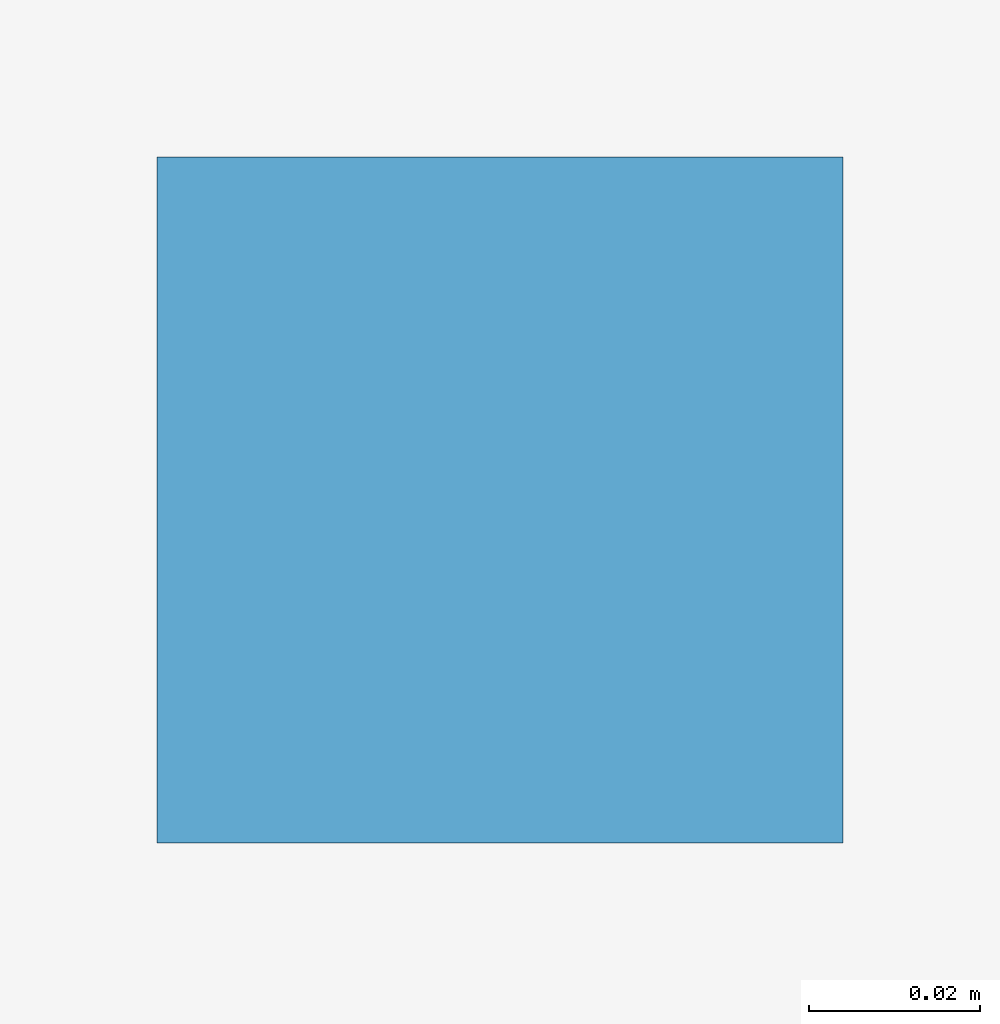
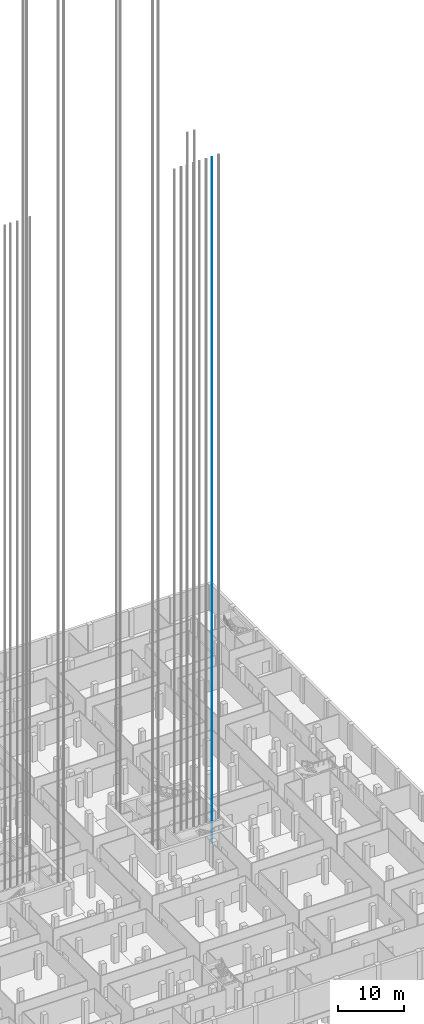
# One storey, part 48 of 54: 1 discrete accessory.
"""IFC4 building model written with IfcOpenShell, lengths in metres."""

from ifc_helpers import new_model, si_unit, direction, frame, origin, origin_2d, place, context, subcontext, project, spatial, rectangle, extrude, material, element, save


model = new_model("IFC4")

# Units and contexts
model_context = context("Model", 3, precision=1e-05, world=origin(), true_north=direction((0.0, 1.0)))
body_context = subcontext(model_context, "Body", "Model", "MODEL_VIEW")
ifc_project = project(units=[si_unit("LENGTHUNIT", "METRE"), si_unit("AREAUNIT", "SQUARE_METRE"), si_unit("VOLUMEUNIT", "CUBIC_METRE"), si_unit("PLANEANGLEUNIT", "RADIAN"), si_unit("MASSUNIT", "GRAM", prefix="KILO")], contexts=[model_context])

# Site, building, storey
site_placement = place(None, origin())
site = spatial("IfcSite", under=ifc_project, at=site_placement, CompositionType="ELEMENT")
building_placement = place(site_placement, origin())
building = spatial("IfcBuilding", under=site, at=building_placement, Name="Fustian Cross Tower", CompositionType="ELEMENT")
storey_placement = place(building_placement, frame((0.0, 0.0, -4.800048828125)))
storey = spatial("IfcBuildingStorey", under=building, at=storey_placement, Name="B1", CompositionType="ELEMENT", Elevation=-4.800048828125)

# Discrete accessory
ifc_material = material(Name="Steel S355", Category="steel")
discrete_accessory_placement = place(storey_placement, frame((19.27490234375, -3.7099609375, 0.0), z_axis=(0.0, 0.0, 1.0), x_axis=(1.0, 0.0, 0.0)))
element("IfcDiscreteAccessory", 1, at=discrete_accessory_placement, inside=storey, material=ifc_material, Name="Lift guide rail SH1 1", PredefinedType="NOTDEFINED", context=body_context, shape_type="SweptSolid", body=[
    extrude(rectangle(XDim=0.080078125, YDim=0.080078125, at=origin_2d()), origin(), (0.0, 0.0, 1.0), 127.14990234375),
])

save(model, "model.ifc")
